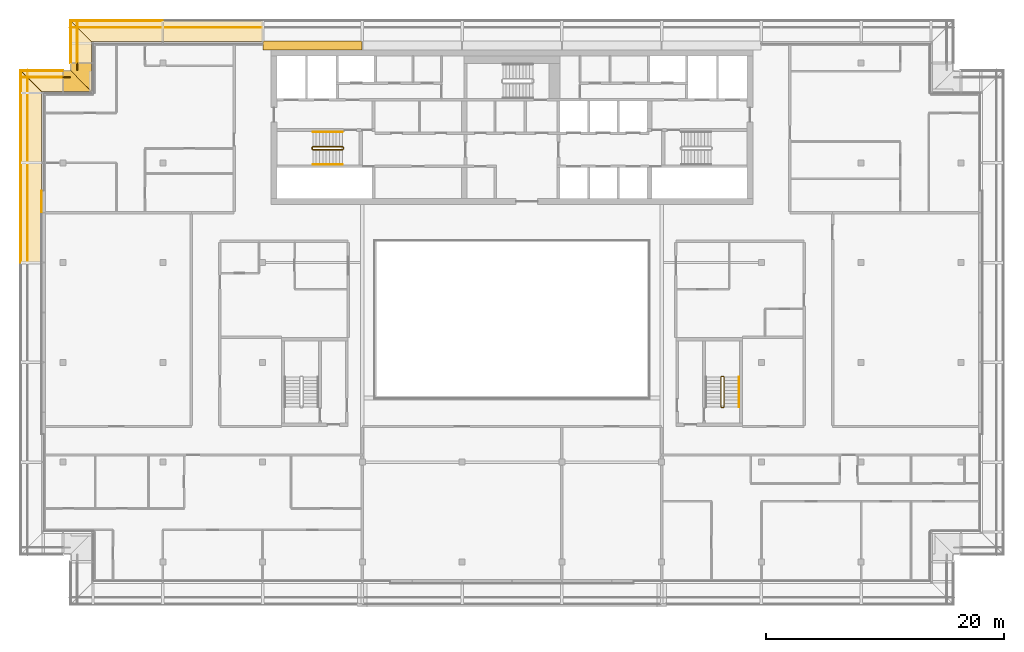
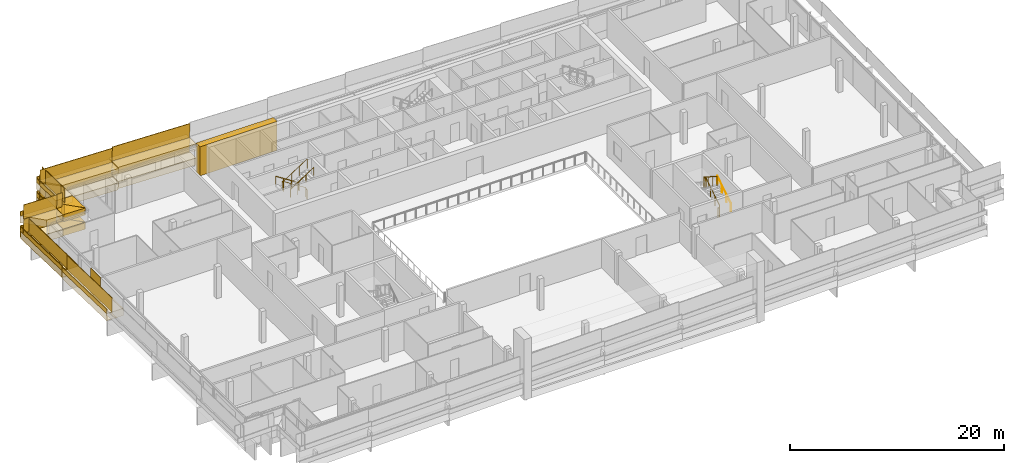
# One storey, part 27 of 33: 24 coverings, 19 railings.
"""IFC4 building model written with IfcOpenShell, lengths in metres."""

from ifc_helpers import new_model, si_unit, direction, frame, origin, origin_2d, place, context, subcontext, project, spatial, polyline, rectangle, circle, outline, extrude, material, layer, layer_set, type_object, element, save


model = new_model("IFC4")

# Units and contexts
model_context = context("Model", 3, precision=1e-05, world=origin(), true_north=direction((0.0, 1.0)))
body_context = subcontext(model_context, "Body", "Model", "MODEL_VIEW")
ifc_project = project(units=[si_unit("LENGTHUNIT", "METRE"), si_unit("AREAUNIT", "SQUARE_METRE"), si_unit("VOLUMEUNIT", "CUBIC_METRE"), si_unit("PLANEANGLEUNIT", "RADIAN"), si_unit("MASSUNIT", "GRAM", prefix="KILO")], contexts=[model_context])

# Site, building, storey
site_placement = place(None, origin())
site = spatial("IfcSite", under=ifc_project, at=site_placement, CompositionType="ELEMENT")
building_placement = place(site_placement, origin())
building = spatial("IfcBuilding", under=site, at=building_placement, Name="Saffron Gate Tower", CompositionType="ELEMENT")
storey_placement = place(building_placement, frame((0.0, 0.0, 263.550048828125)))
storey = spatial("IfcBuildingStorey", under=building, at=storey_placement, Name="L63", CompositionType="ELEMENT", Elevation=263.550048828125)

# Coverings
ifc_material_1 = material(Name="Ceramic-printed bronze insulated panel")
ifc_layer_1 = layer(ifc_material_1, 0.739990234375)
ifc_layer_set_1 = layer_set([ifc_layer_1], Name="CLD5 ceramic-printed cladding panel 740")
covering_type_1 = type_object("IfcCoveringType", Name="CLD5 ceramic-printed cladding panel 740", PredefinedType="CLADDING", material=ifc_layer_set_1)
covering_1_placement = place(storey_placement, origin())
element("IfcCovering", 1, at=covering_1_placement, inside=storey, type_object=covering_type_1, Name="CLADDING ceramic-printed panel", PredefinedType="CLADDING", context=body_context, shape_type="SweptSolid", body=[
    extrude(outline(polyline([(74.965087890625, 75.639892578125), (66.635009765625, 75.639892578125), (66.635009765625, 74.89990234375), (74.965087890625, 74.89990234375), (74.965087890625, 75.639892578125)])), origin(), (0.0, 0.0, 1.0), 3.320068359375),
])
ifc_layer_2 = layer(ifc_material_1, 0.0400390625)
ifc_layer_set_2 = layer_set([ifc_layer_2], Name="CLDA ceramic-printed bay cladding 40")
covering_type_2 = type_object("IfcCoveringType", Name="CLDA ceramic-printed bay cladding 40", PredefinedType="CLADDING", material=ifc_layer_set_2)
covering_2_placement = place(storey_placement, origin())
element("IfcCovering", 2, at=covering_2_placement, inside=storey, type_object=covering_type_2, Name="CLADDING bay panel in front of the arch", PredefinedType="CLADDING", context=body_context, shape_type="SweptSolid", body=[
    extrude(outline(polyline([(47.9599609375, 63.04931640625), (47.9599609375, 61.22998046875), (48.0, 61.22998046875), (48.0, 63.04931640625), (47.9599609375, 63.04931640625)])), origin(), (0.0, 0.0, 1.0), 3.199951171875),
])

# Railings
ifc_material_2 = material(Name="Stainless steel and laminated glass", Category="steel")
railing_type_1 = type_object("IfcRailingType", Name="CR1 Stair guard 1100", PredefinedType="GUARDRAIL", material=ifc_material_2)
railing_1_placement = place(storey_placement, frame((73.39990234375, 66.550048828125, 0.0)))
element("IfcRailing", 3, at=railing_1_placement, inside=storey, type_object=railing_type_1, Name="L63 ST-A stair guard 1", PredefinedType="GUARDRAIL", context=body_context, shape_type="SweptSolid", body=[
    extrude(circle(Radius=0.02392578125, at=origin_2d()), frame((0.0, 0.0, 1.076171875), z_axis=(0.0, 1.0, 0.0), x_axis=(-1.0, 0.0, 0.0)), (0.0, 0.0, 1.0), 0.14990234375),
    extrude(circle(Radius=0.02392578125, at=origin_2d()), frame((0.0, 0.14990234375, 1.076171875), z_axis=(-0.257669022063, 0.258932105505, 0.930892496375), x_axis=(-0.708833529934, -0.705375805398, 0.0)), (0.0, 0.0, 1.0), 0.193359375),
    extrude(circle(Radius=0.02392578125, at=origin_2d()), frame((-0.0498046875, 0.199951171875, 1.255859375), z_axis=(-0.841162588446, 0.0, 0.540782303519), x_axis=(0.0, -1.0, 0.0)), (0.0, 0.0, 1.0), 2.995849609375),
    extrude(circle(Radius=0.02392578125, at=origin_2d()), frame((-2.56982421875, 0.199951171875, 2.8759765625), z_axis=(-0.707106781187, -0.707106781187, 0.0), x_axis=(0.707106781187, -0.707106781187, 0.0)), (0.0, 0.0, 1.0), 0.07080078125),
    extrude(circle(Radius=0.02392578125, at=origin_2d()), frame((-2.619873046875, 0.14990234375, 2.8759765625), z_axis=(0.0, -1.0, 0.0), x_axis=(1.0, 0.0, 0.0)), (0.0, 0.0, 1.0), 0.14990234375),
    extrude(circle(Radius=0.02392578125, at=origin_2d()), frame((-2.619873046875, 0.0, 2.8759765625), z_axis=(0.258847668887, -0.258847668887, 0.930588936439), x_axis=(0.707106781187, 0.707106781187, 0.0)), (0.0, 0.0, 1.0), 0.193359375),
    extrude(circle(Radius=0.02392578125, at=origin_2d()), frame((-2.56982421875, -0.050048828125, 3.05615234375), z_axis=(0.841199657755, 0.0, 0.540724639528), x_axis=(0.0, 1.0, 0.0)), (0.0, 0.0, 1.0), 2.995849609375),
    extrude(circle(Radius=0.02099609375, at=origin_2d()), origin(), (0.0, 0.0, 1.0), 1.052001953125),
    extrude(circle(Radius=0.02099609375, at=origin_2d()), frame((0.0, 0.14990234375, 0.0)), (0.0, 0.0, 1.0), 1.052001953125),
    extrude(circle(Radius=0.02099609375, at=origin_2d()), frame((-0.0498046875, 0.199951171875, 0.179931640625)), (0.0, 0.0, 1.0), 1.052001953125),
    extrude(circle(Radius=0.02099609375, at=origin_2d()), frame((-0.889892578125, 0.199951171875, 0.719970703125)), (0.0, 0.0, 1.0), 1.052001953125),
    extrude(circle(Radius=0.02099609375, at=origin_2d()), frame((-1.729736328125, 0.199951171875, 1.260009765625)), (0.0, 0.0, 1.0), 1.052001953125),
    extrude(circle(Radius=0.02099609375, at=origin_2d()), frame((-2.56982421875, 0.199951171875, 1.800048828125)), (0.0, 0.0, 1.0), 1.052001953125),
    extrude(circle(Radius=0.02099609375, at=origin_2d()), frame((-2.619873046875, 0.14990234375, 1.800048828125)), (0.0, 0.0, 1.0), 1.052001953125),
    extrude(circle(Radius=0.02099609375, at=origin_2d()), frame((-2.619873046875, 0.0, 1.800048828125)), (0.0, 0.0, 1.0), 1.052001953125),
    extrude(circle(Radius=0.02099609375, at=origin_2d()), frame((-2.56982421875, -0.050048828125, 1.97998046875)), (0.0, 0.0, 1.0), 1.052001953125),
    extrude(circle(Radius=0.02099609375, at=origin_2d()), frame((-1.729736328125, -0.050048828125, 2.52001953125)), (0.0, 0.0, 1.0), 1.052001953125),
    extrude(circle(Radius=0.02099609375, at=origin_2d()), frame((-0.889892578125, -0.050048828125, 3.059814453125)), (0.0, 0.0, 1.0), 1.052001953125),
    extrude(circle(Radius=0.02099609375, at=origin_2d()), frame((-0.0498046875, -0.050048828125, 3.599853515625)), (0.0, 0.0, 1.0), 1.052001953125),
])
railing_2_placement = place(storey_placement, frame((105.25, 44.800048828125, 0.0)))
element("IfcRailing", 4, at=railing_2_placement, inside=storey, type_object=railing_type_1, Name="L63 ST-E stair guard 1", PredefinedType="GUARDRAIL", context=body_context, shape_type="SweptSolid", body=[
    extrude(circle(Radius=0.02392578125, at=origin_2d()), frame((0.0, 0.0, 1.076171875), z_axis=(1.0, 0.0, 0.0), x_axis=(0.0, 1.0, 0.0)), (0.0, 0.0, 1.0), 0.14990234375),
    extrude(circle(Radius=0.02392578125, at=origin_2d()), frame((0.14990234375, 0.0, 1.076171875), z_axis=(0.258847668887, 0.258847668887, 0.930588936439), x_axis=(-0.707106781187, 0.707106781187, 0.0)), (0.0, 0.0, 1.0), 0.193359375),
    extrude(circle(Radius=0.02392578125, at=origin_2d()), frame((0.199951171875, 0.050048828125, 1.255859375), z_axis=(0.0, 0.841162588446, 0.540782303519), x_axis=(-1.0, 0.0, 0.0)), (0.0, 0.0, 1.0), 2.995849609375),
    extrude(circle(Radius=0.02392578125, at=origin_2d()), frame((0.199951171875, 2.570068359375, 2.8759765625), z_axis=(-0.708833529934, 0.705375805398, 0.0), x_axis=(-0.705375805398, -0.708833529934, 0.0)), (0.0, 0.0, 1.0), 0.070556640625),
    extrude(circle(Radius=0.02392578125, at=origin_2d()), frame((0.14990234375, 2.619873046875, 2.8759765625), z_axis=(-1.0, 0.0, 0.0), x_axis=(0.0, -1.0, 0.0)), (0.0, 0.0, 1.0), 0.14990234375),
    extrude(circle(Radius=0.02392578125, at=origin_2d()), frame((0.0, 2.619873046875, 2.8759765625), z_axis=(-0.258932105505, -0.257669022063, 0.930892496375), x_axis=(0.705375805398, -0.708833529934, 0.0)), (0.0, 0.0, 1.0), 0.193359375),
    extrude(circle(Radius=0.02392578125, at=origin_2d()), frame((-0.050048828125, 2.570068359375, 3.05615234375), z_axis=(0.0, -0.841199657755, 0.540724639528), x_axis=(1.0, 0.0, 0.0)), (0.0, 0.0, 1.0), 2.995849609375),
    extrude(circle(Radius=0.02099609375, at=origin_2d()), origin(), (0.0, 0.0, 1.0), 1.052001953125),
    extrude(circle(Radius=0.02099609375, at=origin_2d()), frame((0.14990234375, 0.0, 0.0)), (0.0, 0.0, 1.0), 1.052001953125),
    extrude(circle(Radius=0.02099609375, at=origin_2d()), frame((0.199951171875, 0.050048828125, 0.179931640625)), (0.0, 0.0, 1.0), 1.052001953125),
    extrude(circle(Radius=0.02099609375, at=origin_2d()), frame((0.199951171875, 0.89013671875, 0.719970703125)), (0.0, 0.0, 1.0), 1.052001953125),
    extrude(circle(Radius=0.02099609375, at=origin_2d()), frame((0.199951171875, 1.72998046875, 1.260009765625)), (0.0, 0.0, 1.0), 1.052001953125),
    extrude(circle(Radius=0.02099609375, at=origin_2d()), frame((0.199951171875, 2.570068359375, 1.800048828125)), (0.0, 0.0, 1.0), 1.052001953125),
    extrude(circle(Radius=0.02099609375, at=origin_2d()), frame((0.14990234375, 2.619873046875, 1.800048828125)), (0.0, 0.0, 1.0), 1.052001953125),
    extrude(circle(Radius=0.02099609375, at=origin_2d()), frame((0.0, 2.619873046875, 1.800048828125)), (0.0, 0.0, 1.0), 1.052001953125),
    extrude(circle(Radius=0.02099609375, at=origin_2d()), frame((-0.050048828125, 2.570068359375, 1.97998046875)), (0.0, 0.0, 1.0), 1.052001953125),
    extrude(circle(Radius=0.02099609375, at=origin_2d()), frame((-0.050048828125, 1.72998046875, 2.52001953125)), (0.0, 0.0, 1.0), 1.052001953125),
    extrude(circle(Radius=0.02099609375, at=origin_2d()), frame((-0.050048828125, 0.89013671875, 3.059814453125)), (0.0, 0.0, 1.0), 1.052001953125),
    extrude(circle(Radius=0.02099609375, at=origin_2d()), frame((-0.050048828125, 0.050048828125, 3.599853515625)), (0.0, 0.0, 1.0), 1.052001953125),
])
ifc_material_3 = material(Name="Stainless steel", Category="steel")
railing_type_2 = type_object("IfcRailingType", Name="CR2 Stair handrail 900", PredefinedType="HANDRAIL", material=ifc_material_3)
railing_3_placement = place(storey_placement, frame((73.35009765625, 68.0, 0.179931640625)))
element("IfcRailing", 5, at=railing_3_placement, inside=storey, type_object=railing_type_2, Name="L63 ST-A stair handrail 1", PredefinedType="HANDRAIL", context=body_context, shape_type="SweptSolid", body=[
    extrude(circle(Radius=0.02392578125, at=origin_2d()), frame((0.0, 0.0, 0.8759765625), z_axis=(-0.841162588446, 0.0, 0.540782303519), x_axis=(0.0, -1.0, 0.0)), (0.0, 0.0, 1.0), 2.995849609375),
    extrude(circle(Radius=0.02099609375, at=origin_2d()), origin(), (0.0, 0.0, 1.0), 0.851806640625),
    extrude(circle(Radius=0.02099609375, at=origin_2d()), frame((-0.840087890625, 0.0, 0.5400390625)), (0.0, 0.0, 1.0), 0.851806640625),
    extrude(circle(Radius=0.02099609375, at=origin_2d()), frame((-1.679931640625, 0.0, 1.080078125)), (0.0, 0.0, 1.0), 0.851806640625),
    extrude(circle(Radius=0.02099609375, at=origin_2d()), frame((-2.52001953125, 0.0, 1.6201171875)), (0.0, 0.0, 1.0), 0.851806640625),
])
railing_4_placement = place(storey_placement, frame((70.830078125, 65.25, 1.97998046875)))
element("IfcRailing", 6, at=railing_4_placement, inside=storey, type_object=railing_type_2, Name="L63 ST-A stair handrail 2", PredefinedType="HANDRAIL", context=body_context, shape_type="SweptSolid", body=[
    extrude(circle(Radius=0.02392578125, at=origin_2d()), frame((0.0, 0.0, 0.8759765625), z_axis=(0.841199657755, 0.0, 0.540724639528), x_axis=(0.0, 1.0, 0.0)), (0.0, 0.0, 1.0), 2.995849609375),
    extrude(circle(Radius=0.02099609375, at=origin_2d()), origin(), (0.0, 0.0, 1.0), 0.851806640625),
    extrude(circle(Radius=0.02099609375, at=origin_2d()), frame((0.840087890625, 0.0, 0.5400390625)), (0.0, 0.0, 1.0), 0.851806640625),
    extrude(circle(Radius=0.02099609375, at=origin_2d()), frame((1.679931640625, 0.0, 1.079833984375)), (0.0, 0.0, 1.0), 0.851806640625),
    extrude(circle(Radius=0.02099609375, at=origin_2d()), frame((2.52001953125, 0.0, 1.619873046875)), (0.0, 0.0, 1.0), 0.851806640625),
])
railing_5_placement = place(storey_placement, frame((106.699951171875, 44.85009765625, 0.179931640625)))
element("IfcRailing", 7, at=railing_5_placement, inside=storey, type_object=railing_type_2, Name="L63 ST-E stair handrail 1", PredefinedType="HANDRAIL", context=body_context, shape_type="SweptSolid", body=[
    extrude(circle(Radius=0.02392578125, at=origin_2d()), frame((0.0, 0.0, 0.8759765625), z_axis=(0.0, 0.841162588446, 0.540782303519), x_axis=(-1.0, 0.0, 0.0)), (0.0, 0.0, 1.0), 2.995849609375),
    extrude(circle(Radius=0.02099609375, at=origin_2d()), origin(), (0.0, 0.0, 1.0), 0.851806640625),
    extrude(circle(Radius=0.02099609375, at=origin_2d()), frame((0.0, 0.840087890625, 0.5400390625)), (0.0, 0.0, 1.0), 0.851806640625),
    extrude(circle(Radius=0.02099609375, at=origin_2d()), frame((0.0, 1.679931640625, 1.080078125)), (0.0, 0.0, 1.0), 0.851806640625),
    extrude(circle(Radius=0.02099609375, at=origin_2d()), frame((0.0, 2.52001953125, 1.6201171875)), (0.0, 0.0, 1.0), 0.851806640625),
])

# Coverings
ifc_material_4 = material(Name="Timber, thermally modified ash", Category="wood")
ifc_layer_3 = layer(ifc_material_4, 0.800048828125)
ifc_layer_set_3 = layer_set([ifc_layer_3], Name="LD1 ledge timber")
covering_type_3 = type_object("IfcCoveringType", Name="LD1 ledge timber", PredefinedType="CLADDING", material=ifc_layer_set_3)
covering_3_placement = place(storey_placement, frame((66.60009765625, 75.60009765625, 3.26513671875), z_axis=(0.028790339263, 0.0, 0.999585472266), x_axis=(-0.999585472266, 0.0, 0.028790339263)))
element("IfcCovering", 8, at=covering_3_placement, inside=storey, type_object=covering_type_3, Name="LEDGE", PredefinedType="CLADDING", context=body_context, shape_type="SweptSolid", body=[
    extrude(outline(polyline([(0.0, 0.0), (8.403630022085892, 0.0), (8.403630022085892, -1.7998046875), (0.0, -1.7998046875), (0.0, 0.0)])), origin(), (0.0, 0.0, -1.0), 0.800048828125),
])
covering_4_placement = place(storey_placement, frame((58.199951171875, 75.60009765625, 3.374755859375), z_axis=(0.028789477025, 2.3920834e-05, 0.999585496814), x_axis=(-0.9995854971, -1.72e-10, 0.028789477033)))
element("IfcCovering", 9, at=covering_4_placement, inside=storey, type_object=covering_type_3, Name="LEDGE", PredefinedType="CLADDING", context=body_context, shape_type="SweptSolid", body=[
    extrude(outline(polyline([(0.0, 0.0), (6.002489288687248, 8.470329472543003e-22), (7.80328207139786, -1.7998046893537554), (-3.087962377470193e-10, -1.7998046869850703), (0.0, 0.0)])), origin(), (0.0, 0.0, -1.0), 0.800048828125),
])
covering_5_placement = place(storey_placement, frame((52.199951171875, 75.60009765625, 3.453125), z_axis=(-1.29947e-06, 0.028742979799, 0.999586835203), x_axis=(-2e-12, -0.999586835204, 0.028742979799)))
element("IfcCovering", 10, at=covering_5_placement, inside=storey, type_object=covering_type_3, Name="LEDGE", PredefinedType="CLADDING", context=body_context, shape_type="SweptSolid", body=[
    extrude(outline(polyline([(0.0, 0.0), (1.8007927850764784, 0.0), (1.800792785079517, -1.8000488281234803), (-1.8005487453187516, -1.8000488281325988), (0.0, 0.0)])), origin(), (0.0, 0.0, -1.0), 0.800048828125),
])
covering_6_placement = place(storey_placement, frame((52.199951171875, 73.800048828125, 3.4765625), z_axis=(2.6333678e-05, 0.028794305201, 0.999585357683), x_axis=(5.2e-10, -0.99958535803, 0.028794305211)))
element("IfcCovering", 11, at=covering_6_placement, inside=storey, type_object=covering_type_3, Name="LEDGE", PredefinedType="CLADDING", context=body_context, shape_type="SweptSolid", body=[
    extrude(outline(polyline([(0.0, 0.0), (2.401140733194568, 0.0), (0.6003479496762917, -1.8000488290612322), (-9.357805408281585e-10, -1.8000488275008664), (0.0, 0.0)])), origin(), (0.0, 0.0, -1.0), 0.800048828125),
])
covering_7_placement = place(storey_placement, frame((52.199951171875, 71.39990234375, 3.508056640625), z_axis=(0.028798988267, 2.8677152e-05, 0.999585222706), x_axis=(-0.999585223117, 6.17e-10, 0.028798988279)))
element("IfcCovering", 12, at=covering_7_placement, inside=storey, type_object=covering_type_3, Name="LEDGE", PredefinedType="CLADDING", context=body_context, shape_type="SweptSolid", body=[
    extrude(outline(polyline([(0.0, 0.0), (2.400896693585025, -4.235164736271502e-22), (2.400896694694882, -1.8000488273848385), (1.8007927832284332, -1.8000488292351673), (0.0, 0.0)])), origin(), (0.0, 0.0, -1.0), 0.800048828125),
])
covering_8_placement = place(storey_placement, frame((49.800048828125, 71.39990234375, 3.539306640625), z_axis=(0.028786835276, -4.5191264e-05, 0.999585572161), x_axis=(-0.999585573182, -2.041e-09, 0.028786835305)))
element("IfcCovering", 13, at=covering_8_placement, inside=storey, type_object=covering_type_3, Name="LEDGE", PredefinedType="CLADDING", context=body_context, shape_type="SweptSolid", body=[
    extrude(outline(polyline([(0.0, 0.0), (1.8007927832406818, 0.0), (3.601592590842695, -1.8000488373153904), (-3.674631647332522e-09, -1.800048826286925), (0.0, 0.0)])), origin(), (0.0, 0.0, -1.0), 0.800048828125),
])
covering_9_placement = place(storey_placement, frame((66.60009765625, 75.60009765625, 1.63623046875), z_axis=(0.028790339263, 0.0, 0.999585472266), x_axis=(-0.999585472266, 0.0, 0.028790339263)))
element("IfcCovering", 14, at=covering_9_placement, inside=storey, type_object=covering_type_3, Name="LEDGE", PredefinedType="CLADDING", context=body_context, shape_type="SweptSolid", body=[
    extrude(outline(polyline([(0.0, 0.0), (8.403630022085892, 0.0), (8.403630022085892, -1.7998046875), (0.0, -1.7998046875), (0.0, 0.0)])), origin(), (0.0, 0.0, -1.0), 0.800048828125),
])
covering_10_placement = place(storey_placement, frame((58.199951171875, 75.60009765625, 1.745849609375), z_axis=(0.028789477025, 2.3920834e-05, 0.999585496814), x_axis=(-0.9995854971, -1.72e-10, 0.028789477033)))
element("IfcCovering", 15, at=covering_10_placement, inside=storey, type_object=covering_type_3, Name="LEDGE", PredefinedType="CLADDING", context=body_context, shape_type="SweptSolid", body=[
    extrude(outline(polyline([(0.0, 0.0), (6.002489288687248, 8.470329472543003e-22), (7.80328207139786, -1.7998046893537554), (-3.087962377470193e-10, -1.7998046869850703), (0.0, 0.0)])), origin(), (0.0, 0.0, -1.0), 0.800048828125),
])
covering_11_placement = place(storey_placement, frame((52.199951171875, 75.60009765625, 1.82421875), z_axis=(-4.6492774e-05, 0.028788135707, 0.99958553465), x_axis=(-2.161e-09, -0.99958553573, 0.028788135738)))
element("IfcCovering", 16, at=covering_11_placement, inside=storey, type_object=covering_type_3, Name="LEDGE", PredefinedType="CLADDING", context=body_context, shape_type="SweptSolid", body=[
    extrude(outline(polyline([(0.0, 0.0), (1.8007927831333284, 4.235164736271502e-22), (1.800792787022667, -1.8000488261795269), (-1.8005557681600073, -1.8000488378518529), (0.0, 0.0)])), origin(), (0.0, 0.0, -1.0), 0.800048828125),
])
covering_12_placement = place(storey_placement, frame((52.199951171875, 73.800048828125, 1.84765625), z_axis=(2.6333678e-05, 0.028794305201, 0.999585357683), x_axis=(5.2e-10, -0.99958535803, 0.028794305211)))
element("IfcCovering", 17, at=covering_12_placement, inside=storey, type_object=covering_type_3, Name="LEDGE", PredefinedType="CLADDING", context=body_context, shape_type="SweptSolid", body=[
    extrude(outline(polyline([(0.0, 0.0), (2.401140733194568, 0.0), (0.6003479496762917, -1.8000488290612322), (-9.357805408281585e-10, -1.8000488275008664), (0.0, 0.0)])), origin(), (0.0, 0.0, -1.0), 0.800048828125),
])
covering_13_placement = place(storey_placement, frame((52.199951171875, 71.39990234375, 1.87890625), z_axis=(0.028798988267, 2.8677152e-05, 0.999585222706), x_axis=(-0.999585223117, 6.17e-10, 0.028798988279)))
element("IfcCovering", 18, at=covering_13_placement, inside=storey, type_object=covering_type_3, Name="LEDGE", PredefinedType="CLADDING", context=body_context, shape_type="SweptSolid", body=[
    extrude(outline(polyline([(0.0, 0.0), (2.400896693585025, -4.235164736271502e-22), (2.400896694694882, -1.8000488273848385), (1.8007927832284332, -1.8000488292351673), (0.0, 0.0)])), origin(), (0.0, 0.0, -1.0), 0.800048828125),
])
covering_14_placement = place(storey_placement, frame((49.800048828125, 71.39990234375, 1.91015625), z_axis=(0.028831989003, 4.5191205e-05, 0.999584270769), x_axis=(-0.999584271789, -2.041e-09, 0.028831989032)))
element("IfcCovering", 19, at=covering_14_placement, inside=storey, type_object=covering_type_3, Name="LEDGE", PredefinedType="CLADDING", context=body_context, shape_type="SweptSolid", body=[
    extrude(outline(polyline([(0.0, 0.0), (1.8007998167885757, 0.0), (3.6015925908427215, -1.800048837315338), (-3.6746077267916745e-09, -1.80004882628693), (0.0, 0.0)])), origin(), (0.0, 0.0, -1.0), 0.800048828125),
])
covering_15_placement = place(storey_placement, frame((48.0, 71.39990234375, 1.933837890625), z_axis=(-3.5027307e-05, 0.028807146299, 0.99958498743), x_axis=(-3.68e-10, -0.999584988043, 0.028807146316)))
element("IfcCovering", 20, at=covering_15_placement, inside=storey, type_object=covering_type_3, Name="LEDGE", PredefinedType="CLADDING", context=body_context, shape_type="SweptSolid", body=[
    extrude(outline(polyline([(0.0, 0.0), (6.0024892885105, 2.541098841762901e-21), (6.002489289172793, -1.8000488270207489), (-1.800799813548424, -1.8000488321003227), (0.0, 0.0)])), origin(), (0.0, 0.0, -1.0), 0.800048828125),
])
covering_16_placement = place(storey_placement, frame((48.0, 65.39990234375, 2.011962890625), z_axis=(0.0, 0.028820203882, 0.99958461165), x_axis=(0.0, -0.99958461165, 0.028820203882)))
element("IfcCovering", 21, at=covering_16_placement, inside=storey, type_object=covering_type_3, Name="LEDGE", PredefinedType="CLADDING", context=body_context, shape_type="SweptSolid", body=[
    extrude(outline(polyline([(0.0, 0.0), (8.40339301530596, 0.0), (8.40339301530596, -1.800048828125), (0.0, -1.800048828125), (0.0, 0.0)])), origin(), (0.0, 0.0, -1.0), 0.800048828125),
])
ifc_layer_4 = layer(ifc_material_4, 0.080078125)
ifc_layer_set_4 = layer_set([ifc_layer_4], Name="LD2 ledge planter trough")
covering_type_4 = type_object("IfcCoveringType", Name="LD2 ledge planter trough", PredefinedType="CLADDING", material=ifc_layer_set_4)
covering_17_placement = place(storey_placement, frame((58.199951171875, 77.39990234375, 3.374755859375), z_axis=(0.0, 1.0, 0.0), x_axis=(-0.999585655924, 0.0, 0.028783962047)))
element("IfcCovering", 22, at=covering_17_placement, inside=storey, type_object=covering_type_4, Name="LEDGE planter trough", PredefinedType="CLADDING", context=body_context, shape_type="SweptSolid", body=[
    extrude(outline(polyline([(0.0, 0.0), (7.803282071825423, 2.7755575615628914e-17), (7.817674052849086, 0.4997928279619612), (0.014391981023662846, 0.4997928279619612), (0.0, 0.0)])), origin(), (0.0, 0.0, -1.0), 0.080078125),
])
covering_18_placement = place(storey_placement, frame((50.39990234375, 77.39990234375, 3.4013671875), z_axis=(-1.0, 0.0, 0.0), x_axis=(0.0, -0.999586816534, 0.028743629041)))
element("IfcCovering", 23, at=covering_18_placement, inside=storey, type_object=covering_type_4, Name="LEDGE planter trough", PredefinedType="CLADDING", context=body_context, shape_type="SweptSolid", body=[
    extrude(outline(polyline([(0.0, 0.0), (3.6013415303990284, 0.0), (3.615713344919565, 0.4997934082672433), (0.01437181452053653, 0.4997934082672433), (0.0, 0.0)])), origin(), (0.0, 0.0, -1.0), 0.080078125),
])
covering_19_placement = place(storey_placement, frame((49.800048828125, 73.199951171875, 3.539306640625), z_axis=(0.0, 1.0, 0.0), x_axis=(-0.99958492274, 0.0, 0.028809412191)))
element("IfcCovering", 24, at=covering_19_placement, inside=storey, type_object=covering_type_4, Name="LEDGE planter trough", PredefinedType="CLADDING", context=body_context, shape_type="SweptSolid", body=[
    extrude(outline(polyline([(0.0, 0.0), (3.601592595435983, 0.0), (3.6159973015313485, 0.4997924613700232), (0.014404706095365512, 0.4997924613700232), (0.0, 0.0)])), origin(), (0.0, 0.0, -1.0), 0.080078125),
])
covering_20_placement = place(storey_placement, frame((58.199951171875, 77.39990234375, 1.745849609375), z_axis=(0.0, 1.0, 0.0), x_axis=(-0.999585655924, 0.0, 0.028783962047)))
element("IfcCovering", 25, at=covering_20_placement, inside=storey, type_object=covering_type_4, Name="LEDGE planter trough", PredefinedType="CLADDING", context=body_context, shape_type="SweptSolid", body=[
    extrude(outline(polyline([(0.0, 0.0), (7.803282071825423, 2.7755575615628914e-17), (7.817674052849086, 0.4997928279619612), (0.014391981023662846, 0.4997928279619612), (0.0, 0.0)])), origin(), (0.0, 0.0, -1.0), 0.080078125),
])
covering_21_placement = place(storey_placement, frame((50.39990234375, 77.39990234375, 1.772216796875), z_axis=(-1.0, 0.0, 0.0), x_axis=(0.0, -0.999584866472, 0.028811364412)))
element("IfcCovering", 26, at=covering_21_placement, inside=storey, type_object=covering_type_4, Name="LEDGE planter trough", PredefinedType="CLADDING", context=body_context, shape_type="SweptSolid", body=[
    extrude(outline(polyline([(0.0, 0.0), (3.601348556155073, 0.0), (3.6157542383609322, 0.49979243323622236), (0.01440568220585924, 0.49979243323622236), (0.0, 0.0)])), origin(), (0.0, 0.0, -1.0), 0.080078125),
])
covering_22_placement = place(storey_placement, frame((49.800048828125, 73.199951171875, 1.91015625), z_axis=(0.0, 1.0, 0.0), x_axis=(-0.99958492274, 0.0, 0.028809412191)))
element("IfcCovering", 27, at=covering_22_placement, inside=storey, type_object=covering_type_4, Name="LEDGE planter trough", PredefinedType="CLADDING", context=body_context, shape_type="SweptSolid", body=[
    extrude(outline(polyline([(0.0, 0.0), (3.601592595435983, 0.0), (3.6159973015313485, 0.4997924613700232), (0.014404706095365512, 0.4997924613700232), (0.0, 0.0)])), origin(), (0.0, 0.0, -1.0), 0.080078125),
])
covering_23_placement = place(storey_placement, frame((46.199951171875, 73.199951171875, 1.8818359375), z_axis=(-1.0, 0.0, 0.0), x_axis=(0.0, -0.999584755248, 0.028815222999)))
element("IfcCovering", 28, at=covering_23_placement, inside=storey, type_object=covering_type_4, Name="LEDGE planter trough", PredefinedType="CLADDING", context=body_context, shape_type="SweptSolid", body=[
    extrude(outline(polyline([(0.0, 0.0), (7.803289102975944, 0.0), (7.8176967144752565, 0.4997923776238338), (0.014407611499312996, 0.4997923776238338), (0.0, 0.0)])), origin(), (0.0, 0.0, -1.0), 0.080078125),
])
covering_24_placement = place(storey_placement, frame((46.199951171875, 65.39990234375, 2.011962890625), z_axis=(-1.0, 0.0, 0.0), x_axis=(0.0, -0.99958461165, 0.028820203882)))
element("IfcCovering", 29, at=covering_24_placement, inside=storey, type_object=covering_type_4, Name="LEDGE planter trough", PredefinedType="CLADDING", context=body_context, shape_type="SweptSolid", body=[
    extrude(outline(polyline([(0.0, 0.0), (8.40339301530596, 0.0), (8.41780311724686, 0.49979230582518264), (0.014410101940899296, 0.49979230582518264), (0.0, 0.0)])), origin(), (0.0, 0.0, -1.0), 0.080078125),
])

# Railings
railing_type_3 = type_object("IfcRailingType", Name="LG1 ledge balustrade", PredefinedType="BALUSTRADE", material=ifc_material_4)
railing_6_placement = place(storey_placement, frame((66.60009765625, 76.800048828125, 3.26513671875)))
element("IfcRailing", 30, at=railing_6_placement, inside=storey, type_object=railing_type_3, Name="LEDGE BALUSTRADE", PredefinedType="BALUSTRADE", context=body_context, shape_type="SweptSolid", body=[
    extrude(rectangle(XDim=0.06005859375, YDim=1.60009765625, at=origin_2d()), frame((0.0, 0.0, 0.800048828125), z_axis=(-0.999585472266, 0.0, 0.028790339263), x_axis=(0.0, -1.0, 0.0)), (0.0, 0.0, 1.0), 8.403564453125),
])
railing_7_placement = place(storey_placement, frame((58.199951171875, 76.800048828125, 3.374755859375)))
element("IfcRailing", 31, at=railing_7_placement, inside=storey, type_object=railing_type_3, Name="LEDGE BALUSTRADE", PredefinedType="BALUSTRADE", context=body_context, shape_type="SweptSolid", body=[
    extrude(rectangle(XDim=0.06005859375, YDim=1.60009765625, at=origin_2d()), frame((0.0, 0.0, 0.800048828125), z_axis=(-0.999585655924, 0.0, 0.028783962047), x_axis=(0.0, -1.0, 0.0)), (0.0, 0.0, 1.0), 7.80322265625),
])
railing_8_placement = place(storey_placement, frame((51.0, 77.39990234375, 3.4013671875)))
element("IfcRailing", 32, at=railing_8_placement, inside=storey, type_object=railing_type_3, Name="LEDGE BALUSTRADE", PredefinedType="BALUSTRADE", context=body_context, shape_type="SweptSolid", body=[
    extrude(rectangle(XDim=0.06005859375, YDim=1.60009765625, at=origin_2d()), frame((0.0, 0.0, 0.800048828125), z_axis=(0.0, -0.999586816534, 0.028743629041), x_axis=(1.0, 0.0, 0.0)), (0.0, 0.0, 1.0), 3.601318359375),
])
railing_9_placement = place(storey_placement, frame((51.0, 73.800048828125, 3.4765625)))
element("IfcRailing", 33, at=railing_9_placement, inside=storey, type_object=railing_type_3, Name="LEDGE BALUSTRADE", PredefinedType="BALUSTRADE", context=body_context, shape_type="SweptSolid", body=[
    extrude(rectangle(XDim=0.06005859375, YDim=1.60009765625, at=origin_2d()), frame((0.0, 0.0, 0.800048828125), z_axis=(0.0, -0.999583081391, 0.028873229772), x_axis=(1.0, 0.0, 0.0)), (0.0, 0.0, 1.0), 0.600341796875),
])
railing_10_placement = place(storey_placement, frame((50.39990234375, 72.60009765625, 3.559814453125)))
element("IfcRailing", 34, at=railing_10_placement, inside=storey, type_object=railing_type_3, Name="LEDGE BALUSTRADE", PredefinedType="BALUSTRADE", context=body_context, shape_type="SweptSolid", body=[
    extrude(rectangle(XDim=0.06005859375, YDim=1.60009765625, at=origin_2d()), frame((0.0, 0.0, 0.800048828125), z_axis=(-0.999582742162, 0.0, 0.028884971385), x_axis=(0.0, -1.0, 0.0)), (0.0, 0.0, 1.0), 0.60009765625),
])
railing_11_placement = place(storey_placement, frame((49.800048828125, 72.60009765625, 3.539306640625)))
element("IfcRailing", 35, at=railing_11_placement, inside=storey, type_object=railing_type_3, Name="LEDGE BALUSTRADE", PredefinedType="BALUSTRADE", context=body_context, shape_type="SweptSolid", body=[
    extrude(rectangle(XDim=0.06005859375, YDim=1.60009765625, at=origin_2d()), frame((0.0, 0.0, 0.800048828125), z_axis=(-0.99958492274, 0.0, 0.028809412191), x_axis=(0.0, -1.0, 0.0)), (0.0, 0.0, 1.0), 3.6015625),
])
railing_12_placement = place(storey_placement, frame((66.60009765625, 76.800048828125, 1.63623046875)))
element("IfcRailing", 36, at=railing_12_placement, inside=storey, type_object=railing_type_3, Name="LEDGE BALUSTRADE", PredefinedType="BALUSTRADE", context=body_context, shape_type="SweptSolid", body=[
    extrude(rectangle(XDim=0.06005859375, YDim=1.60009765625, at=origin_2d()), frame((0.0, 0.0, 0.800048828125), z_axis=(-0.999585472266, 0.0, 0.028790339263), x_axis=(0.0, -1.0, 0.0)), (0.0, 0.0, 1.0), 8.403564453125),
])
railing_13_placement = place(storey_placement, frame((58.199951171875, 76.800048828125, 1.745849609375)))
element("IfcRailing", 37, at=railing_13_placement, inside=storey, type_object=railing_type_3, Name="LEDGE BALUSTRADE", PredefinedType="BALUSTRADE", context=body_context, shape_type="SweptSolid", body=[
    extrude(rectangle(XDim=0.06005859375, YDim=1.60009765625, at=origin_2d()), frame((0.0, 0.0, 0.800048828125), z_axis=(-0.999585655924, 0.0, 0.028783962047), x_axis=(0.0, -1.0, 0.0)), (0.0, 0.0, 1.0), 7.80322265625),
])
railing_14_placement = place(storey_placement, frame((51.0, 77.39990234375, 1.772216796875)))
element("IfcRailing", 38, at=railing_14_placement, inside=storey, type_object=railing_type_3, Name="LEDGE BALUSTRADE", PredefinedType="BALUSTRADE", context=body_context, shape_type="SweptSolid", body=[
    extrude(rectangle(XDim=0.06005859375, YDim=1.60009765625, at=origin_2d()), frame((0.0, 0.0, 0.800048828125), z_axis=(0.0, -0.999584866472, 0.028811364412), x_axis=(1.0, 0.0, 0.0)), (0.0, 0.0, 1.0), 3.601318359375),
])
railing_15_placement = place(storey_placement, frame((51.0, 73.800048828125, 1.84765625)))
element("IfcRailing", 39, at=railing_15_placement, inside=storey, type_object=railing_type_3, Name="LEDGE BALUSTRADE", PredefinedType="BALUSTRADE", context=body_context, shape_type="SweptSolid", body=[
    extrude(rectangle(XDim=0.06005859375, YDim=1.60009765625, at=origin_2d()), frame((0.0, 0.0, 0.800048828125), z_axis=(0.0, -0.999583081391, 0.028873229772), x_axis=(1.0, 0.0, 0.0)), (0.0, 0.0, 1.0), 0.600341796875),
])
railing_16_placement = place(storey_placement, frame((50.39990234375, 72.60009765625, 1.9306640625)))
element("IfcRailing", 40, at=railing_16_placement, inside=storey, type_object=railing_type_3, Name="LEDGE BALUSTRADE", PredefinedType="BALUSTRADE", context=body_context, shape_type="SweptSolid", body=[
    extrude(rectangle(XDim=0.06005859375, YDim=1.60009765625, at=origin_2d()), frame((0.0, 0.0, 0.800048828125), z_axis=(-0.999582742162, 0.0, 0.028884971385), x_axis=(0.0, -1.0, 0.0)), (0.0, 0.0, 1.0), 0.60009765625),
])
railing_17_placement = place(storey_placement, frame((49.800048828125, 72.60009765625, 1.91015625)))
element("IfcRailing", 41, at=railing_17_placement, inside=storey, type_object=railing_type_3, Name="LEDGE BALUSTRADE", PredefinedType="BALUSTRADE", context=body_context, shape_type="SweptSolid", body=[
    extrude(rectangle(XDim=0.06005859375, YDim=1.60009765625, at=origin_2d()), frame((0.0, 0.0, 0.800048828125), z_axis=(-0.99958492274, 0.0, 0.028809412191), x_axis=(0.0, -1.0, 0.0)), (0.0, 0.0, 1.0), 3.6015625),
])
railing_18_placement = place(storey_placement, frame((46.800048828125, 73.199951171875, 1.8818359375)))
element("IfcRailing", 42, at=railing_18_placement, inside=storey, type_object=railing_type_3, Name="LEDGE BALUSTRADE", PredefinedType="BALUSTRADE", context=body_context, shape_type="SweptSolid", body=[
    extrude(rectangle(XDim=0.06005859375, YDim=1.60009765625, at=origin_2d()), frame((0.0, 0.0, 0.800048828125), z_axis=(0.0, -0.999584755248, 0.028815222999), x_axis=(1.0, 0.0, 0.0)), (0.0, 0.0, 1.0), 7.80322265625),
])
railing_19_placement = place(storey_placement, frame((46.800048828125, 65.39990234375, 2.011962890625)))
element("IfcRailing", 43, at=railing_19_placement, inside=storey, type_object=railing_type_3, Name="LEDGE BALUSTRADE", PredefinedType="BALUSTRADE", context=body_context, shape_type="SweptSolid", body=[
    extrude(rectangle(XDim=0.06005859375, YDim=1.60009765625, at=origin_2d()), frame((0.0, 0.0, 0.800048828125), z_axis=(0.0, -0.99958461165, 0.028820203882), x_axis=(1.0, 0.0, 0.0)), (0.0, 0.0, 1.0), 8.4033203125),
])

save(model, "model.ifc")
